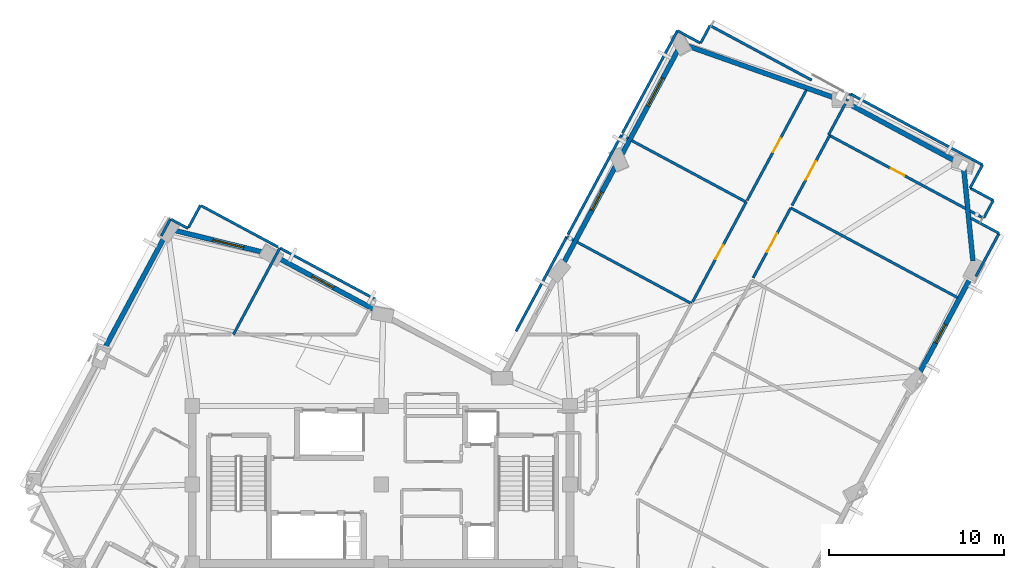
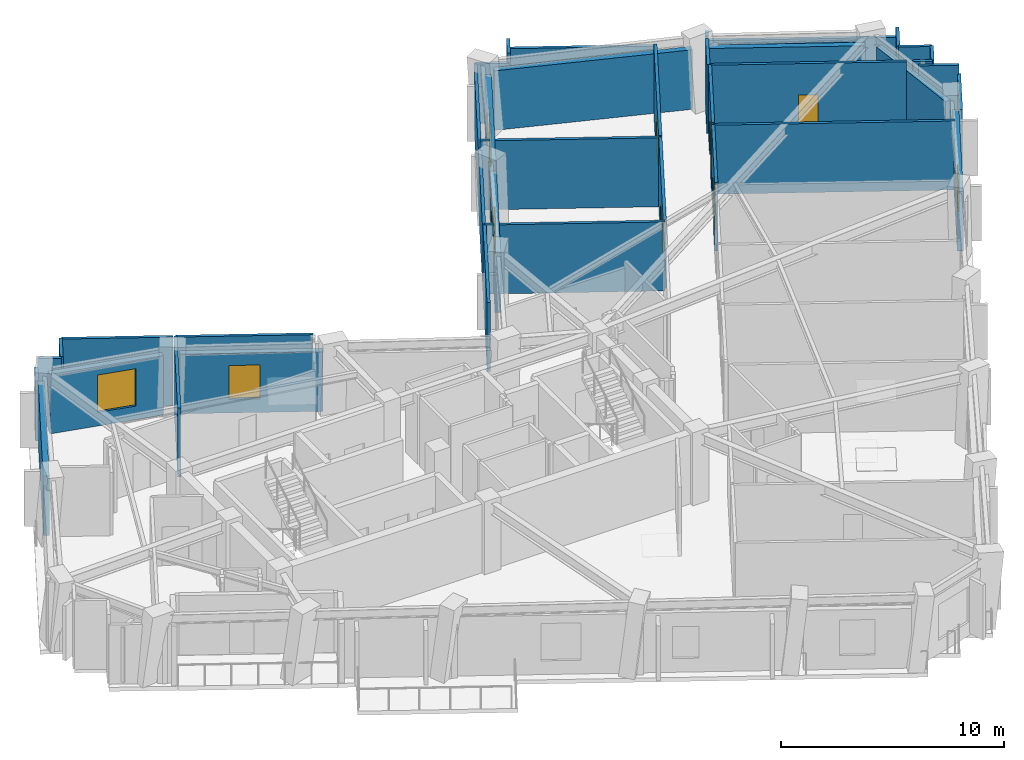
# One storey, part 9 of 14: 40 walls, 5 doors, 5 windows, 10 openings.
"""IFC4 building model written with IfcOpenShell, lengths in metres."""

from ifc_helpers import new_model, si_unit, direction, frame, frame_2d, origin, place, context, subcontext, project, spatial, rectangle, extrude, material, layer, layer_set, type_object, element, fill, save


model = new_model("IFC4")

# Units and contexts
model_context = context("Model", 3, precision=1e-05, world=origin(), true_north=direction((0.0, 1.0)))
body_context = subcontext(model_context, "Body", "Model", "MODEL_VIEW")
ifc_project = project(units=[si_unit("LENGTHUNIT", "METRE"), si_unit("AREAUNIT", "SQUARE_METRE"), si_unit("VOLUMEUNIT", "CUBIC_METRE"), si_unit("PLANEANGLEUNIT", "RADIAN"), si_unit("MASSUNIT", "GRAM", prefix="KILO")], contexts=[model_context])

# Site, building, storey
site_placement = place(None, origin())
site = spatial("IfcSite", under=ifc_project, at=site_placement, CompositionType="ELEMENT")
building_placement = place(site_placement, origin())
building = spatial("IfcBuilding", under=site, at=building_placement, Name="Gaonmaruhae Medical Tower", CompositionType="ELEMENT")
storey_placement = place(building_placement, frame((0.0, 0.0, 288.60009765625)))
storey = spatial("IfcBuildingStorey", under=building, at=storey_placement, Name="L69", CompositionType="ELEMENT", Elevation=288.60009765625)

# Wall, opening, window
ifc_material_1 = material(Name="Precast concrete C45/55", Category="concrete")
ifc_layer_1 = layer(ifc_material_1, 0.280029296875)
ifc_layer_set_1 = layer_set([ifc_layer_1], Name="Precast concrete C45/55")
wall_type_1 = type_object("IfcWallType", Name="EW-280 Upper Precast Masonry-Frame Facade Wall", PredefinedType="SOLIDWALL", material=ifc_layer_set_1)
wall_1_placement = place(storey_placement, frame((58.594970703125, 24.309326171875, 0.0), z_axis=(0.0, 0.0, 1.0), x_axis=(-0.47334203282, -0.88087872035, 0.0)))
wall_1 = element("IfcWall", 1, at=wall_1_placement, inside=storey, type_object=wall_type_1, Name="L69 Precast Masonry-Frame Wall S05-S06", PredefinedType="SOLIDWALL", context=body_context, shape_type="SweptSolid", body=[
    extrude(rectangle(XDim=6.41845703125, YDim=0.280029296875, at=frame_2d((3.209228515625, 0.0))), origin(), (0.0, 0.0, 1.0), 3.264892578125),
])
opening_1_placement = place(wall_1_placement, frame((3.228271484375, 0.0, 0.75)))
opening_1 = element("IfcOpeningElement", 2, at=opening_1_placement, cuts=wall_1, Name="Opening WN-05", PredefinedType="OPENING", context=body_context, shape_type="SweptSolid", body=[
    extrude(rectangle(XDim=1.199951171875, YDim=1.75, at=frame_2d((0.60009765625, 0.875))), frame((0.0, 0.14990234375, 0.0), z_axis=(0.0, -1.0, 0.0), x_axis=(1.0, 0.0, 0.0)), (0.0, 0.0, 1.0), 0.300048828125),
])
ifc_material_2 = material(Name="Anodised aluminium and Low-E double glazing", Category="aluminium")
window_type_1 = type_object("IfcWindowType", Name="WN-05 Support & Staff Punched Window 1200x1750", PartitioningType="SINGLE_PANEL", PredefinedType="WINDOW", material=ifc_material_2)
window_1_placement = place(opening_1_placement, origin())
window_1 = element("IfcWindow", 3, at=window_1_placement, inside=storey, type_object=window_type_1, Name="L69 Modular Facade Window S05", OverallHeight=1.75, OverallWidth=1.199951171875, PartitioningType="SINGLE_PANEL", PredefinedType="WINDOW", context=body_context, shape_type="SweptSolid", body=[
    extrude(rectangle(XDim=1.199951171875, YDim=1.75, at=frame_2d((0.60009765625, 0.875))), frame((0.0, 0.030029296875, 0.0), z_axis=(0.0, -1.0, 0.0), x_axis=(1.0, 0.0, 0.0)), (0.0, 0.0, 1.0), 0.06005859375),
])
fill(opening_1, window_1)

# Walls
wall_2_placement = place(storey_placement, frame((58.1044921875, 30.355712890625, 0.0), z_axis=(0.0, 0.0, 1.0), x_axis=(0.099334776233, -0.995054070004, 0.0)))
element("IfcWall", 4, at=wall_2_placement, inside=storey, type_object=wall_type_1, Name="L69 Precast Masonry-Frame Wall S06-E01", PredefinedType="SOLIDWALL", context=body_context, shape_type="SweptSolid", body=[
    extrude(rectangle(XDim=5.2939453125, YDim=0.280029296875, at=frame_2d((2.64697265625, 0.0))), origin(), (0.0, 0.0, 1.0), 3.264892578125),
])
wall_3_placement = place(storey_placement, frame((51.433349609375, 34.119140625, 0.0), z_axis=(0.0, 0.0, 1.0), x_axis=(0.88088796411, -0.473324829992, 0.0)))
element("IfcWall", 5, at=wall_3_placement, inside=storey, type_object=wall_type_1, Name="L69 Precast Masonry-Frame Wall E01-E02", PredefinedType="SOLIDWALL", context=body_context, shape_type="SweptSolid", body=[
    extrude(rectangle(XDim=7.04638671875, YDim=0.280029296875, at=frame_2d((3.523193359375, 0.0))), origin(), (0.0, 0.0, 1.0), 3.264892578125),
])
wall_4_placement = place(storey_placement, frame((42.21826171875, 37.415283203125, 0.0), z_axis=(0.0, 0.0, 1.0), x_axis=(0.942871061755, -0.33315786184, 0.0)))
element("IfcWall", 6, at=wall_4_placement, inside=storey, type_object=wall_type_1, Name="L69 Precast Masonry-Frame Wall E02-E03", PredefinedType="SOLIDWALL", context=body_context, shape_type="SweptSolid", body=[
    extrude(rectangle(XDim=9.0361328125, YDim=0.280029296875, at=frame_2d((4.51806640625, 0.0))), origin(), (0.0, 0.0, 1.0), 3.264892578125),
])

# Wall, opening, window
wall_5_placement = place(storey_placement, frame((38.577392578125, 31.2109375, 0.0), z_axis=(0.0, 0.0, 1.0), x_axis=(0.473322273544, 0.880889337753, 0.0)))
wall_5 = element("IfcWall", 7, at=wall_5_placement, inside=storey, type_object=wall_type_1, Name="L69 Precast Masonry-Frame Wall E03-EN01", PredefinedType="SOLIDWALL", context=body_context, shape_type="SweptSolid", body=[
    extrude(rectangle(XDim=6.77978515625, YDim=0.280029296875, at=frame_2d((3.389892578125, 0.0))), origin(), (0.0, 0.0, 1.0), 3.264892578125),
])
opening_2_placement = place(wall_5_placement, frame((3.112548828125, 0.0, 0.75)))
opening_2 = element("IfcOpeningElement", 8, at=opening_2_placement, cuts=wall_5, Name="Opening WN-04", PredefinedType="OPENING", context=body_context, shape_type="SweptSolid", body=[
    extrude(rectangle(XDim=1.800048828125, YDim=2.050048828125, at=frame_2d((0.89990234375, 1.02490234375))), frame((0.0, 0.14990234375, 0.0), z_axis=(0.0, -1.0, 0.0), x_axis=(1.0, 0.0, 0.0)), (0.0, 0.0, 1.0), 0.300048828125),
])
window_type_2 = type_object("IfcWindowType", Name="WN-04 Clinic & Consult Punched Window 1800x2050", PartitioningType="SINGLE_PANEL", PredefinedType="WINDOW", material=ifc_material_2)
window_2_placement = place(opening_2_placement, origin())
window_2 = element("IfcWindow", 9, at=window_2_placement, inside=storey, type_object=window_type_2, Name="L69 Modular Facade Window E03", OverallHeight=2.050048828125, OverallWidth=1.800048828125, PartitioningType="SINGLE_PANEL", PredefinedType="WINDOW", context=body_context, shape_type="SweptSolid", body=[
    extrude(rectangle(XDim=1.800048828125, YDim=2.050048828125, at=frame_2d((0.89990234375, 1.02490234375))), frame((0.0, 0.030029296875, 0.0), z_axis=(0.0, -1.0, 0.0), x_axis=(1.0, 0.0, 0.0)), (0.0, 0.0, 1.0), 0.06005859375),
])
fill(opening_2, window_2)

wall_6_placement = place(storey_placement, frame((35.172119140625, 24.873291015625, 0.0), z_axis=(0.0, 0.0, 1.0), x_axis=(0.473318247503, 0.880891501026, 0.0)))
wall_6 = element("IfcWall", 10, at=wall_6_placement, inside=storey, type_object=wall_type_1, Name="L69 Precast Masonry-Frame Wall EN01-EN02", PredefinedType="SOLIDWALL", context=body_context, shape_type="SweptSolid", body=[
    extrude(rectangle(XDim=6.409423828125, YDim=0.280029296875, at=frame_2d((3.20458984375, 0.0))), origin(), (0.0, 0.0, 1.0), 3.264892578125),
])
opening_3_placement = place(wall_6_placement, frame((3.53271484375, 0.0, 0.75)))
opening_3 = element("IfcOpeningElement", 11, at=opening_3_placement, cuts=wall_6, Name="Opening WN-05", PredefinedType="OPENING", context=body_context, shape_type="SweptSolid", body=[
    extrude(rectangle(XDim=1.199951171875, YDim=1.75, at=frame_2d((0.60009765625, 0.875))), frame((0.0, 0.14990234375, 0.0), z_axis=(0.0, -1.0, 0.0), x_axis=(1.0, 0.0, 0.0)), (0.0, 0.0, 1.0), 0.300048828125),
])
window_3_placement = place(opening_3_placement, origin())
window_3 = element("IfcWindow", 12, at=window_3_placement, inside=storey, type_object=window_type_1, Name="L69 Modular Facade Window EN01", OverallHeight=1.75, OverallWidth=1.199951171875, PartitioningType="SINGLE_PANEL", PredefinedType="WINDOW", context=body_context, shape_type="SweptSolid", body=[
    extrude(rectangle(XDim=1.199951171875, YDim=1.75, at=frame_2d((0.60009765625, 0.875))), frame((0.0, 0.030029296875, 0.0), z_axis=(0.0, -1.0, 0.0), x_axis=(1.0, 0.0, 0.0)), (0.0, 0.0, 1.0), 0.06005859375),
])
fill(opening_3, window_3)

wall_7_placement = place(storey_placement, frame((18.904296875, 25.2607421875, 0.0), z_axis=(0.0, 0.0, 1.0), x_axis=(0.88088322677, -0.473333646379, 0.0)))
wall_7 = element("IfcWall", 13, at=wall_7_placement, inside=storey, type_object=wall_type_1, Name="L69 Precast Masonry-Frame Wall NE01-NE02", PredefinedType="SOLIDWALL", context=body_context, shape_type="SweptSolid", body=[
    extrude(rectangle(XDim=6.424072265625, YDim=0.280029296875, at=frame_2d((3.2119140625, 0.0))), origin(), (0.0, 0.0, 1.0), 3.264892578125),
])
opening_4_placement = place(wall_7_placement, frame((2.201171875, 0.0, 0.75)))
opening_4 = element("IfcOpeningElement", 14, at=opening_4_placement, cuts=wall_7, Name="Opening WN-03", PredefinedType="OPENING", context=body_context, shape_type="SweptSolid", body=[
    extrude(rectangle(XDim=1.39990234375, YDim=1.85009765625, at=frame_2d((0.699951171875, 0.925048828125))), frame((0.0, 0.14990234375, 0.0), z_axis=(0.0, -1.0, 0.0), x_axis=(1.0, 0.0, 0.0)), (0.0, 0.0, 1.0), 0.300048828125),
])
window_type_3 = type_object("IfcWindowType", Name="WN-03 Isolation Ward Punched Window 1400x1850", PartitioningType="SINGLE_PANEL", PredefinedType="WINDOW", material=ifc_material_2)
window_4_placement = place(opening_4_placement, origin())
window_4 = element("IfcWindow", 15, at=window_4_placement, inside=storey, type_object=window_type_3, Name="L69 Modular Facade Window NE01", OverallHeight=1.85009765625, OverallWidth=1.39990234375, PartitioningType="SINGLE_PANEL", PredefinedType="WINDOW", context=body_context, shape_type="SweptSolid", body=[
    extrude(rectangle(XDim=1.39990234375, YDim=1.85009765625, at=frame_2d((0.699951171875, 0.925048828125))), frame((0.0, 0.030029296875, 0.0), z_axis=(0.0, -1.0, 0.0), x_axis=(1.0, 0.0, 0.0)), (0.0, 0.0, 1.0), 0.06005859375),
])
fill(opening_4, window_4)

wall_8_placement = place(storey_placement, frame((13.029296875, 26.82275390625, 0.0), z_axis=(0.0, 0.0, 1.0), x_axis=(0.970847941081, -0.23969621461, 0.0)))
wall_8 = element("IfcWall", 16, at=wall_8_placement, inside=storey, type_object=wall_type_1, Name="L69 Precast Masonry-Frame Wall NE02-N01", PredefinedType="SOLIDWALL", context=body_context, shape_type="SweptSolid", body=[
    extrude(rectangle(XDim=5.302490234375, YDim=0.280029296875, at=frame_2d((2.6513671875, 0.0))), origin(), (0.0, 0.0, 1.0), 3.264892578125),
])
opening_5_placement = place(wall_8_placement, frame((2.2197265625, 0.0, 0.75)))
opening_5 = element("IfcOpeningElement", 17, at=opening_5_placement, cuts=wall_8, Name="Opening WN-04", PredefinedType="OPENING", context=body_context, shape_type="SweptSolid", body=[
    extrude(rectangle(XDim=1.800048828125, YDim=2.050048828125, at=frame_2d((0.89990234375, 1.02490234375))), frame((0.0, 0.14990234375, 0.0), z_axis=(0.0, -1.0, 0.0), x_axis=(1.0, 0.0, 0.0)), (0.0, 0.0, 1.0), 0.300048828125),
])
window_5_placement = place(opening_5_placement, origin())
window_5 = element("IfcWindow", 18, at=window_5_placement, inside=storey, type_object=window_type_2, Name="L69 Modular Facade Window NE02", OverallHeight=2.050048828125, OverallWidth=1.800048828125, PartitioningType="SINGLE_PANEL", PredefinedType="WINDOW", context=body_context, shape_type="SweptSolid", body=[
    extrude(rectangle(XDim=1.800048828125, YDim=2.050048828125, at=frame_2d((0.89990234375, 1.02490234375))), frame((0.0, 0.030029296875, 0.0), z_axis=(0.0, -1.0, 0.0), x_axis=(1.0, 0.0, 0.0)), (0.0, 0.0, 1.0), 0.06005859375),
])
fill(opening_5, window_5)

# Wall
wall_9_placement = place(storey_placement, frame((8.876220703125, 19.879638671875, 0.0), z_axis=(0.0, 0.0, 1.0), x_axis=(0.47333195551, 0.88088413534, 0.0)))
element("IfcWall", 19, at=wall_9_placement, inside=storey, type_object=wall_type_1, Name="L69 Precast Masonry-Frame Wall N01-N02", PredefinedType="SOLIDWALL", context=body_context, shape_type="SweptSolid", body=[
    extrude(rectangle(XDim=7.43408203125, YDim=0.280029296875, at=frame_2d((3.717041015625, 0.0))), origin(), (0.0, 0.0, 1.0), 3.264892578125),
])

# Wall, opening, door
ifc_material_3 = material(Name="Gypsum board partition", Category="gypsum")
ifc_layer_2 = layer(ifc_material_3, 0.14990234375)
ifc_layer_set_2 = layer_set([ifc_layer_2], Name="Gypsum board partition")
wall_type_2 = type_object("IfcWallType", Name="PW-150 Rated Clinical Corridor Partition", PredefinedType="PARTITIONING", material=ifc_layer_set_2)
wall_10_placement = place(storey_placement, frame((46.06298828125, 24.1201171875, 0.0), z_axis=(0.0, 0.0, 1.0), x_axis=(0.473371657247, 0.88086280096, 0.0)))
wall_10 = element("IfcWall", 20, at=wall_10_placement, inside=storey, type_object=wall_type_2, Name="L69 Interior Partition L69-SUP08-34", PredefinedType="PARTITIONING", context=body_context, shape_type="SweptSolid", body=[
    extrude(rectangle(XDim=4.53955078125, YDim=0.14990234375, at=frame_2d((2.269775390625, 0.0))), origin(), (0.0, 0.0, 1.0), 3.77978515625),
])
opening_6_placement = place(wall_10_placement, frame((1.669921875, 0.0, 0.0)))
opening_6 = element("IfcOpeningElement", 21, at=opening_6_placement, cuts=wall_10, Name="Opening CD-02", PredefinedType="OPENING", context=body_context, shape_type="SweptSolid", body=[
    extrude(rectangle(XDim=1.199951171875, YDim=2.14990234375, at=frame_2d((0.60009765625, 1.074951171875))), frame((0.0, 0.0849609375, 0.0), z_axis=(0.0, -1.0, 0.0), x_axis=(1.0, 0.0, 0.0)), (0.0, 0.0, 1.0), 0.169921875),
])
ifc_material_4 = material(Name="Antimicrobial laminate timber fire door", Category="wood")
door_type_1 = type_object("IfcDoorType", Name="CD-02 Clinical Treatment & Procedure Door 1200x2150", OperationType="NOTDEFINED", PredefinedType="DOOR", material=ifc_material_4)
door_1_placement = place(opening_6_placement, origin())
door_1 = element("IfcDoor", 22, at=door_1_placement, inside=storey, type_object=door_type_1, Name="L69 Clinical Biomedical Charting Office Door", OperationType="SINGLE_SWING_LEFT", OverallHeight=2.14990234375, OverallWidth=1.199951171875, PredefinedType="DOOR", context=body_context, shape_type="SweptSolid", body=[
    extrude(rectangle(XDim=1.199951171875, YDim=2.14990234375, at=frame_2d((0.60009765625, 1.074951171875))), frame((0.0, 0.02490234375, 0.0), z_axis=(0.0, -1.0, 0.0), x_axis=(1.0, 0.0, 0.0)), (0.0, 0.0, 1.0), 0.050048828125),
])
fill(opening_6, door_1)

# Walls
wall_11_placement = place(storey_placement, frame((48.2119140625, 28.118896484375, 0.0), z_axis=(0.0, 0.0, 1.0), x_axis=(0.880904141107, -0.473294722324, 0.0)))
element("IfcWall", 23, at=wall_11_placement, inside=storey, type_object=wall_type_2, Name="L69 Interior Partition L69-SUP08-35", PredefinedType="PARTITIONING", context=body_context, shape_type="SweptSolid", body=[
    extrude(rectangle(XDim=10.83447265625, YDim=0.14990234375, at=frame_2d((5.417236328125, 0.0))), origin(), (0.0, 0.0, 1.0), 3.77978515625),
])
wall_12_placement = place(storey_placement, frame((60.1240234375, 26.66796875, 0.0), z_axis=(0.0, 0.0, 1.0), x_axis=(-0.473268165107, -0.88091840933, 0.0)))
element("IfcWall", 24, at=wall_12_placement, inside=storey, type_object=wall_type_2, Name="L69 Interior Partition L69-SUP09-36", PredefinedType="PARTITIONING", context=body_context, shape_type="SweptSolid", body=[
    extrude(rectangle(XDim=2.8017578125, YDim=0.14990234375, at=frame_2d((1.40087890625, 0.0))), origin(), (0.0, 0.0, 1.0), 3.264892578125),
])

# Wall, opening, door
wall_13_placement = place(storey_placement, frame((48.287109375, 28.260009765625, 0.0), z_axis=(0.0, 0.0, 1.0), x_axis=(0.473259555236, 0.880923034877, 0.0)))
wall_13 = element("IfcWall", 25, at=wall_13_placement, inside=storey, type_object=wall_type_2, Name="L69 Interior Partition L69-SUP09-37", PredefinedType="PARTITIONING", context=body_context, shape_type="SweptSolid", body=[
    extrude(rectangle(XDim=4.540771484375, YDim=0.14990234375, at=frame_2d((2.2705078125, 0.0))), origin(), (0.0, 0.0, 1.0), 3.77978515625),
])
opening_7_placement = place(wall_13_placement, frame((1.67041015625, 0.0, 0.0)))
opening_7 = element("IfcOpeningElement", 26, at=opening_7_placement, cuts=wall_13, Name="Opening CD-02", PredefinedType="OPENING", context=body_context, shape_type="SweptSolid", body=[
    extrude(rectangle(XDim=1.199951171875, YDim=2.14990234375, at=frame_2d((0.60009765625, 1.074951171875))), frame((0.0, 0.0849609375, 0.0), z_axis=(0.0, -1.0, 0.0), x_axis=(1.0, 0.0, 0.0)), (0.0, 0.0, 1.0), 0.169921875),
])
door_2_placement = place(opening_7_placement, origin())
door_2 = element("IfcDoor", 27, at=door_2_placement, inside=storey, type_object=door_type_1, Name="L69 Clinical Biomedical Charting Office Door", OperationType="SINGLE_SWING_RIGHT", OverallHeight=2.14990234375, OverallWidth=1.199951171875, PredefinedType="DOOR", context=body_context, shape_type="SweptSolid", body=[
    extrude(rectangle(XDim=1.199951171875, YDim=2.14990234375, at=frame_2d((0.60009765625, 1.074951171875))), frame((0.0, 0.02490234375, 0.0), z_axis=(0.0, -1.0, 0.0), x_axis=(1.0, 0.0, 0.0)), (0.0, 0.0, 1.0), 0.050048828125),
])
fill(opening_7, door_2)

wall_14_placement = place(storey_placement, frame((50.43603515625, 32.260009765625, 0.0), z_axis=(0.0, 0.0, 1.0), x_axis=(0.880864883218, -0.473367782505, 0.0)))
wall_14 = element("IfcWall", 28, at=wall_14_placement, inside=storey, type_object=wall_type_2, Name="L69 Interior Partition L69-SUP09-38", PredefinedType="PARTITIONING", context=body_context, shape_type="SweptSolid", body=[
    extrude(rectangle(XDim=8.832275390625, YDim=0.14990234375, at=frame_2d((4.416015625, 0.0))), origin(), (0.0, 0.0, 1.0), 3.77978515625),
])
opening_8_placement = place(wall_14_placement, frame((3.986083984375, 0.0, 0.0)))
opening_8 = element("IfcOpeningElement", 29, at=opening_8_placement, cuts=wall_14, Name="Opening AD-01", PredefinedType="OPENING", context=body_context, shape_type="SweptSolid", body=[
    extrude(rectangle(XDim=0.860107421875, YDim=2.06005859375, at=frame_2d((0.43017578125, 1.030029296875))), frame((0.0, 0.0849609375, 0.0), z_axis=(0.0, -1.0, 0.0), x_axis=(1.0, 0.0, 0.0)), (0.0, 0.0, 1.0), 0.169921875),
])
ifc_material_5 = material(Name="Powder-coated steel access door", Category="steel")
door_type_2 = type_object("IfcDoorType", Name="AD-01 Riser & Closet Access Fire Door 860x2060", OperationType="NOTDEFINED", PredefinedType="DOOR", material=ifc_material_5)
door_3_placement = place(opening_8_placement, origin())
door_3 = element("IfcDoor", 30, at=door_3_placement, inside=storey, type_object=door_type_2, Name="L69 Clinical Records Office Sliding Door", OperationType="SLIDING_TO_LEFT", OverallHeight=2.06005859375, OverallWidth=0.860107421875, PredefinedType="DOOR", context=body_context, shape_type="SweptSolid", body=[
    extrude(rectangle(XDim=0.860107421875, YDim=2.06005859375, at=frame_2d((0.43017578125, 1.030029296875))), frame((0.0, 0.02490234375, 0.0), z_axis=(0.0, -1.0, 0.0), x_axis=(1.0, 0.0, 0.0)), (0.0, 0.0, 1.0), 0.050048828125),
])
fill(opening_8, door_3)

# Walls
wall_15_placement = place(storey_placement, frame((58.4599609375, 27.947998046875, 0.0), z_axis=(0.0, 0.0, 1.0), x_axis=(0.880778708518, -0.473528105419, 0.0)))
element("IfcWall", 31, at=wall_15_placement, inside=storey, type_object=wall_type_2, Name="L69 Interior Partition L69-SUP09-39", PredefinedType="PARTITIONING", context=body_context, shape_type="SweptSolid", body=[
    extrude(rectangle(XDim=0.891357421875, YDim=0.14990234375, at=frame_2d((0.44580078125, 0.0))), origin(), (0.0, 0.0, 1.0), 3.77978515625),
])
wall_16_placement = place(storey_placement, frame((58.52001953125, 27.530029296875, 0.0), z_axis=(0.0, 0.0, 1.0), x_axis=(0.880845362496, -0.47340410578, 0.0)))
element("IfcWall", 32, at=wall_16_placement, inside=storey, type_object=wall_type_2, Name="L69 Interior Partition L69-SUP09-40", PredefinedType="PARTITIONING", context=body_context, shape_type="SweptSolid", body=[
    extrude(rectangle(XDim=1.821044921875, YDim=0.14990234375, at=frame_2d((0.91064453125, 0.0))), origin(), (0.0, 0.0, 1.0), 3.77978515625),
])
wall_17_placement = place(storey_placement, frame((32.50390625, 21.070068359375, 0.0), z_axis=(0.0, 0.0, 1.0), x_axis=(0.473270026335, 0.880917409394, 0.0)))
element("IfcWall", 33, at=wall_17_placement, inside=storey, type_object=wall_type_2, Name="L69 Interior Partition L69-IE03-75", PredefinedType="PARTITIONING", context=body_context, shape_type="SweptSolid", body=[
    extrude(rectangle(XDim=6.142333984375, YDim=0.14990234375, at=frame_2d((3.0712890625, 0.0))), origin(), (0.0, 0.0, 1.0), 3.77978515625),
])
wall_18_placement = place(storey_placement, frame((35.410888671875, 26.48095703125, 0.0), z_axis=(0.0, 0.0, 1.0), x_axis=(0.881171652639, -0.472796487493, 0.0)))
element("IfcWall", 34, at=wall_18_placement, inside=storey, type_object=wall_type_2, Name="L69 Interior Partition L69-IE03-76", PredefinedType="PARTITIONING", context=body_context, shape_type="SweptSolid", body=[
    extrude(rectangle(XDim=0.435791015625, YDim=0.14990234375, at=frame_2d((0.2177734375, 0.0))), origin(), (0.0, 0.0, 1.0), 3.77978515625),
])
wall_19_placement = place(storey_placement, frame((35.9970703125, 26.166015625, 0.0), z_axis=(0.0, 0.0, 1.0), x_axis=(0.88087780034, -0.473343744934, 0.0)))
element("IfcWall", 35, at=wall_19_placement, inside=storey, type_object=wall_type_2, Name="L69 Interior Partition L69-IE03-77", PredefinedType="PARTITIONING", context=body_context, shape_type="SweptSolid", body=[
    extrude(rectangle(XDim=7.434326171875, YDim=0.14990234375, at=frame_2d((3.71728515625, 0.0))), origin(), (0.0, 0.0, 1.0), 3.77978515625),
])

# Wall, opening, door
wall_20_placement = place(storey_placement, frame((45.666015625, 28.452880859375, 0.0), z_axis=(0.0, 0.0, 1.0), x_axis=(-0.473292007071, -0.880905599961, 0.0)))
wall_20 = element("IfcWall", 36, at=wall_20_placement, inside=storey, type_object=wall_type_2, Name="L69 Interior Partition L69-IE04-80", PredefinedType="PARTITIONING", context=body_context, shape_type="SweptSolid", body=[
    extrude(rectangle(XDim=6.4716796875, YDim=0.14990234375, at=frame_2d((3.23583984375, 0.0))), origin(), (0.0, 0.0, 1.0), 3.77978515625),
])
opening_9_placement = place(wall_20_placement, frame((2.77587890625, 0.0, 0.0)))
opening_9 = element("IfcOpeningElement", 37, at=opening_9_placement, cuts=wall_20, Name="Opening UD-01", PredefinedType="OPENING", context=body_context, shape_type="SweptSolid", body=[
    extrude(rectangle(XDim=0.919921875, YDim=2.10009765625, at=frame_2d((0.4599609375, 1.050048828125))), frame((0.0, 0.0849609375, 0.0), z_axis=(0.0, -1.0, 0.0), x_axis=(1.0, 0.0, 0.0)), (0.0, 0.0, 1.0), 0.169921875),
])
ifc_material_6 = material(Name="Powder-coated steel utility door", Category="steel")
door_type_3 = type_object("IfcDoorType", Name="UD-01 Toilet, Utility & Housekeeping Door 920x2100", OperationType="NOTDEFINED", PredefinedType="DOOR", material=ifc_material_6)
door_4_placement = place(opening_9_placement, origin())
door_4 = element("IfcDoor", 38, at=door_4_placement, inside=storey, type_object=door_type_3, Name="L69 Accessible Public Toilet Door", OperationType="SINGLE_SWING_LEFT", OverallHeight=2.10009765625, OverallWidth=0.919921875, PredefinedType="DOOR", context=body_context, shape_type="SweptSolid", body=[
    extrude(rectangle(XDim=0.919921875, YDim=2.10009765625, at=frame_2d((0.4599609375, 1.050048828125))), frame((0.0, 0.02490234375, 0.0), z_axis=(0.0, -1.0, 0.0), x_axis=(1.0, 0.0, 0.0)), (0.0, 0.0, 1.0), 0.050048828125),
])
fill(opening_9, door_4)

# Walls
wall_21_placement = place(storey_placement, frame((35.468017578125, 26.5859375, 0.0), z_axis=(0.0, 0.0, 1.0), x_axis=(0.473276279195, 0.880914050036, 0.0)))
element("IfcWall", 39, at=wall_21_placement, inside=storey, type_object=wall_type_2, Name="L69 Interior Partition L69-IE04-81", PredefinedType="PARTITIONING", context=body_context, shape_type="SweptSolid", body=[
    extrude(rectangle(XDim=6.471923828125, YDim=0.14990234375, at=frame_2d((3.23583984375, 0.0))), origin(), (0.0, 0.0, 1.0), 3.264892578125),
])
wall_22_placement = place(storey_placement, frame((38.531005859375, 32.287109375, 0.0), z_axis=(0.0, 0.0, 1.0), x_axis=(0.880669277933, -0.473731593738, 0.0)))
element("IfcWall", 40, at=wall_22_placement, inside=storey, type_object=wall_type_2, Name="L69 Interior Partition L69-IE04-82", PredefinedType="PARTITIONING", context=body_context, shape_type="SweptSolid", body=[
    extrude(rectangle(XDim=0.43505859375, YDim=0.14990234375, at=frame_2d((0.217529296875, 0.0))), origin(), (0.0, 0.0, 1.0), 3.77978515625),
])
wall_23_placement = place(storey_placement, frame((39.116943359375, 31.971923828125, 0.0), z_axis=(0.0, 0.0, 1.0), x_axis=(0.880885157777, -0.47333005272, 0.0)))
element("IfcWall", 41, at=wall_23_placement, inside=storey, type_object=wall_type_2, Name="L69 Interior Partition L69-IE04-83", PredefinedType="PARTITIONING", context=body_context, shape_type="SweptSolid", body=[
    extrude(rectangle(XDim=7.4345703125, YDim=0.14990234375, at=frame_2d((3.71728515625, 0.0))), origin(), (0.0, 0.0, 1.0), 3.77978515625),
])
wall_24_placement = place(storey_placement, frame((43.056884765625, 37.541015625, 0.0), z_axis=(0.0, 0.0, 1.0), x_axis=(0.473384998992, 0.880855631037, 0.0)))
element("IfcWall", 42, at=wall_24_placement, inside=storey, type_object=wall_type_2, Name="L69 Interior Partition L69-IE05-84", PredefinedType="PARTITIONING", context=body_context, shape_type="SweptSolid", body=[
    extrude(rectangle(XDim=1.140869140625, YDim=0.14990234375, at=frame_2d((0.5703125, 0.0))), origin(), (0.0, 0.0, 1.0), 3.77978515625),
])
wall_25_placement = place(storey_placement, frame((43.596923828125, 38.5458984375, 0.0), z_axis=(0.0, 0.0, 1.0), x_axis=(0.880901900683, -0.473298892216, 0.0)))
element("IfcWall", 43, at=wall_25_placement, inside=storey, type_object=wall_type_2, Name="L69 Interior Partition L69-IE05-85", PredefinedType="PARTITIONING", context=body_context, shape_type="SweptSolid", body=[
    extrude(rectangle(XDim=6.60009765625, YDim=0.14990234375, at=frame_2d((3.300048828125, 0.0))), origin(), (0.0, 0.0, 1.0), 3.264892578125),
])

# Wall, opening, door
wall_26_placement = place(storey_placement, frame((49.10791015625, 34.85888671875, 0.0), z_axis=(0.0, 0.0, 1.0), x_axis=(-0.473319949653, -0.88089058643, 0.0)))
wall_26 = element("IfcWall", 44, at=wall_26_placement, inside=storey, type_object=wall_type_2, Name="L69 Interior Partition L69-IE05-86", PredefinedType="PARTITIONING", context=body_context, shape_type="SweptSolid", body=[
    extrude(rectangle(XDim=7.151611328125, YDim=0.14990234375, at=frame_2d((3.57568359375, 0.0))), origin(), (0.0, 0.0, 1.0), 3.77978515625),
])
opening_10_placement = place(wall_26_placement, frame((3.115966796875, 0.0, 0.0)))
opening_10 = element("IfcOpeningElement", 45, at=opening_10_placement, cuts=wall_26, Name="Opening UD-01", PredefinedType="OPENING", context=body_context, shape_type="SweptSolid", body=[
    extrude(rectangle(XDim=0.919921875, YDim=2.10009765625, at=frame_2d((0.4599609375, 1.050048828125))), frame((0.0, 0.0849609375, 0.0), z_axis=(0.0, -1.0, 0.0), x_axis=(1.0, 0.0, 0.0)), (0.0, 0.0, 1.0), 0.169921875),
])
door_5_placement = place(opening_10_placement, origin())
door_5 = element("IfcDoor", 46, at=door_5_placement, inside=storey, type_object=door_type_3, Name="L69 Ward Housekeeping and Linen Store Door", OperationType="SINGLE_SWING_LEFT", OverallHeight=2.10009765625, OverallWidth=0.919921875, PredefinedType="DOOR", context=body_context, shape_type="SweptSolid", body=[
    extrude(rectangle(XDim=0.919921875, YDim=2.10009765625, at=frame_2d((0.4599609375, 1.050048828125))), frame((0.0, 0.02490234375, 0.0), z_axis=(0.0, -1.0, 0.0), x_axis=(1.0, 0.0, 0.0)), (0.0, 0.0, 1.0), 0.050048828125),
])
fill(opening_10, door_5)

# Walls
wall_27_placement = place(storey_placement, frame((38.587890625, 32.39306640625, 0.0), z_axis=(0.0, 0.0, 1.0), x_axis=(0.473392556104, 0.88085156969, 0.0)))
element("IfcWall", 47, at=wall_27_placement, inside=storey, type_object=wall_type_2, Name="L69 Interior Partition L69-IE05-87", PredefinedType="PARTITIONING", context=body_context, shape_type="SweptSolid", body=[
    extrude(rectangle(XDim=6.650390625, YDim=0.14990234375, at=frame_2d((3.3251953125, 0.0))), origin(), (0.0, 0.0, 1.0), 3.264892578125),
])
wall_28_placement = place(storey_placement, frame((41.736083984375, 38.2509765625, 0.0), z_axis=(0.0, 0.0, 1.0), x_axis=(0.880815909858, -0.473458903118, 0.0)))
element("IfcWall", 48, at=wall_28_placement, inside=storey, type_object=wall_type_2, Name="L69 Interior Partition L69-IE05-88", PredefinedType="PARTITIONING", context=body_context, shape_type="SweptSolid", body=[
    extrude(rectangle(XDim=1.49951171875, YDim=0.14990234375, at=frame_2d((0.749755859375, 0.0))), origin(), (0.0, 0.0, 1.0), 3.264892578125),
])
wall_29_placement = place(storey_placement, frame((16.35009765625, 20.8798828125, 0.0), z_axis=(0.0, 0.0, 1.0), x_axis=(0.47326778816, 0.880918611842, 0.0)))
element("IfcWall", 49, at=wall_29_placement, inside=storey, type_object=wall_type_2, Name="L69 Interior Partition L69-IN02-90", PredefinedType="PARTITIONING", context=body_context, shape_type="SweptSolid", body=[
    extrude(rectangle(XDim=5.6181640625, YDim=0.14990234375, at=frame_2d((2.80908203125, 0.0))), origin(), (0.0, 0.0, 1.0), 3.77978515625),
])
wall_30_placement = place(storey_placement, frame((19.009033203125, 25.8291015625, 0.0), z_axis=(0.0, 0.0, 1.0), x_axis=(0.880893169111, -0.473315143022, 0.0)))
element("IfcWall", 50, at=wall_30_placement, inside=storey, type_object=wall_type_2, Name="L69 Interior Partition L69-IN02-91", PredefinedType="PARTITIONING", context=body_context, shape_type="SweptSolid", body=[
    extrude(rectangle(XDim=6.179931640625, YDim=0.14990234375, at=frame_2d((3.08984375, 0.0))), origin(), (0.0, 0.0, 1.0), 3.77978515625),
])
wall_31_placement = place(storey_placement, frame((12.22705078125, 26.51806640625, 0.0), z_axis=(0.0, 0.0, 1.0), x_axis=(0.473505400145, 0.880790915049, 0.0)))
element("IfcWall", 51, at=wall_31_placement, inside=storey, type_object=wall_type_2, Name="L69 Interior Partition L69-IN03-97", PredefinedType="PARTITIONING", context=body_context, shape_type="SweptSolid", body=[
    extrude(rectangle(XDim=1.102294921875, YDim=0.14990234375, at=frame_2d((0.55126953125, 0.0))), origin(), (0.0, 0.0, 1.0), 3.264892578125),
])
wall_32_placement = place(storey_placement, frame((12.79296875, 27.465087890625, 0.0), z_axis=(0.0, 0.0, 1.0), x_axis=(0.881346781722, -0.472469946502, 0.0)))
element("IfcWall", 52, at=wall_32_placement, inside=storey, type_object=wall_type_2, Name="L69 Interior Partition L69-IN03-98", PredefinedType="PARTITIONING", context=body_context, shape_type="SweptSolid", body=[
    extrude(rectangle(XDim=1.09033203125, YDim=0.14990234375, at=frame_2d((0.545166015625, 0.0))), origin(), (0.0, 0.0, 1.0), 3.77978515625),
])
wall_33_placement = place(storey_placement, frame((13.778076171875, 26.993896484375, 0.0), z_axis=(0.0, 0.0, 1.0), x_axis=(0.473225877658, 0.880941126702, 0.0)))
element("IfcWall", 53, at=wall_33_placement, inside=storey, type_object=wall_type_2, Name="L69 Interior Partition L69-IN03-99", PredefinedType="PARTITIONING", context=body_context, shape_type="SweptSolid", body=[
    extrude(rectangle(XDim=1.44970703125, YDim=0.14990234375, at=frame_2d((0.724853515625, 0.0))), origin(), (0.0, 0.0, 1.0), 3.77978515625),
])
wall_34_placement = place(storey_placement, frame((14.508056640625, 28.2470703125, 0.0), z_axis=(0.0, 0.0, 1.0), x_axis=(0.880927940895, -0.473250423086, 0.0)))
element("IfcWall", 54, at=wall_34_placement, inside=storey, type_object=wall_type_2, Name="L69 Interior Partition L69-IN03-100", PredefinedType="PARTITIONING", context=body_context, shape_type="SweptSolid", body=[
    extrude(rectangle(XDim=4.989013671875, YDim=0.14990234375, at=frame_2d((2.49462890625, 0.0))), origin(), (0.0, 0.0, 1.0), 3.77978515625),
])
wall_35_placement = place(storey_placement, frame((50.375, 32.29296875, 0.0), z_axis=(0.0, 0.0, 1.0), x_axis=(0.47339968985, 0.880847735792, 0.0)))
element("IfcWall", 55, at=wall_35_placement, inside=storey, type_object=wall_type_2, Name="L69 Interior Partition L69-RM04-104", PredefinedType="PARTITIONING", context=body_context, shape_type="SweptSolid", body=[
    extrude(rectangle(XDim=2.017578125, YDim=0.14990234375, at=frame_2d((1.0087890625, 0.0))), origin(), (0.0, 0.0, 1.0), 3.77978515625),
])
wall_36_placement = place(storey_placement, frame((51.4169921875, 34.23291015625, 0.0), z_axis=(0.0, 0.0, 1.0), x_axis=(0.474099823035, 0.880471099922, 0.0)))
element("IfcWall", 56, at=wall_36_placement, inside=storey, type_object=wall_type_2, Name="L69 Interior Partition L69-RM04-105", PredefinedType="PARTITIONING", context=body_context, shape_type="SweptSolid", body=[
    extrude(rectangle(XDim=0.457763671875, YDim=0.14990234375, at=frame_2d((0.22900390625, 0.0))), origin(), (0.0, 0.0, 1.0), 3.77978515625),
])
wall_37_placement = place(storey_placement, frame((51.634033203125, 34.635986328125, 0.0), z_axis=(0.0, 0.0, 1.0), x_axis=(0.880907992192, -0.473287554551, 0.0)))
element("IfcWall", 57, at=wall_37_placement, inside=storey, type_object=wall_type_2, Name="L69 Interior Partition L69-RM04-106", PredefinedType="PARTITIONING", context=body_context, shape_type="SweptSolid", body=[
    extrude(rectangle(XDim=8.569580078125, YDim=0.14990234375, at=frame_2d((4.28466796875, 0.0))), origin(), (0.0, 0.0, 1.0), 3.264892578125),
])
wall_38_placement = place(storey_placement, frame((59.18310546875, 30.580078125, 0.0), z_axis=(0.0, 0.0, 1.0), x_axis=(-0.473245885676, -0.880930378458, 0.0)))
element("IfcWall", 58, at=wall_38_placement, inside=storey, type_object=wall_type_2, Name="L69 Interior Partition L69-RM04-107", PredefinedType="PARTITIONING", context=body_context, shape_type="SweptSolid", body=[
    extrude(rectangle(XDim=1.500732421875, YDim=0.14990234375, at=frame_2d((0.75048828125, 0.0))), origin(), (0.0, 0.0, 1.0), 3.77978515625),
])
wall_39_placement = place(storey_placement, frame((58.472900390625, 29.258056640625, 0.0), z_axis=(0.0, 0.0, 1.0), x_axis=(0.880852398613, -0.473391013707, 0.0)))
element("IfcWall", 59, at=wall_39_placement, inside=storey, type_object=wall_type_2, Name="L69 Interior Partition L69-RM04-108", PredefinedType="PARTITIONING", context=body_context, shape_type="SweptSolid", body=[
    extrude(rectangle(XDim=1.499755859375, YDim=0.14990234375, at=frame_2d((0.75, 0.0))), origin(), (0.0, 0.0, 1.0), 3.77978515625),
])
wall_40_placement = place(storey_placement, frame((59.7939453125, 28.548095703125, 0.0), z_axis=(0.0, 0.0, 1.0), x_axis=(-0.472988079019, -0.881068826543, 0.0)))
element("IfcWall", 60, at=wall_40_placement, inside=storey, type_object=wall_type_2, Name="L69 Interior Partition L69-RM04-109", PredefinedType="PARTITIONING", context=body_context, shape_type="SweptSolid", body=[
    extrude(rectangle(XDim=1.1396484375, YDim=0.14990234375, at=frame_2d((0.56982421875, 0.0))), origin(), (0.0, 0.0, 1.0), 3.77978515625),
])

save(model, "model.ifc")
